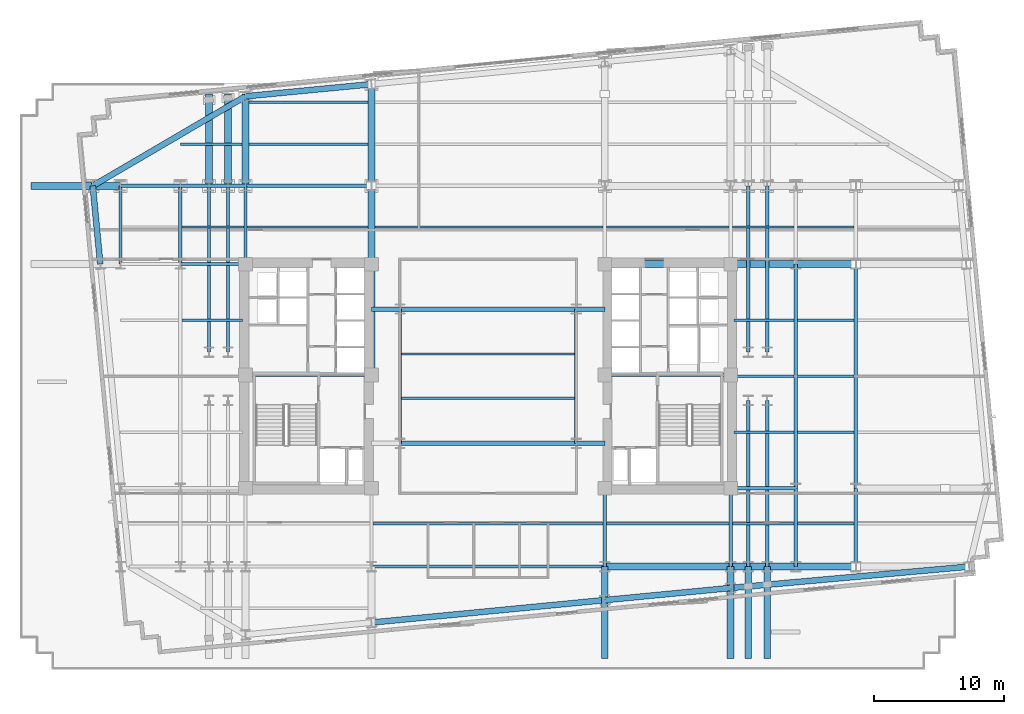
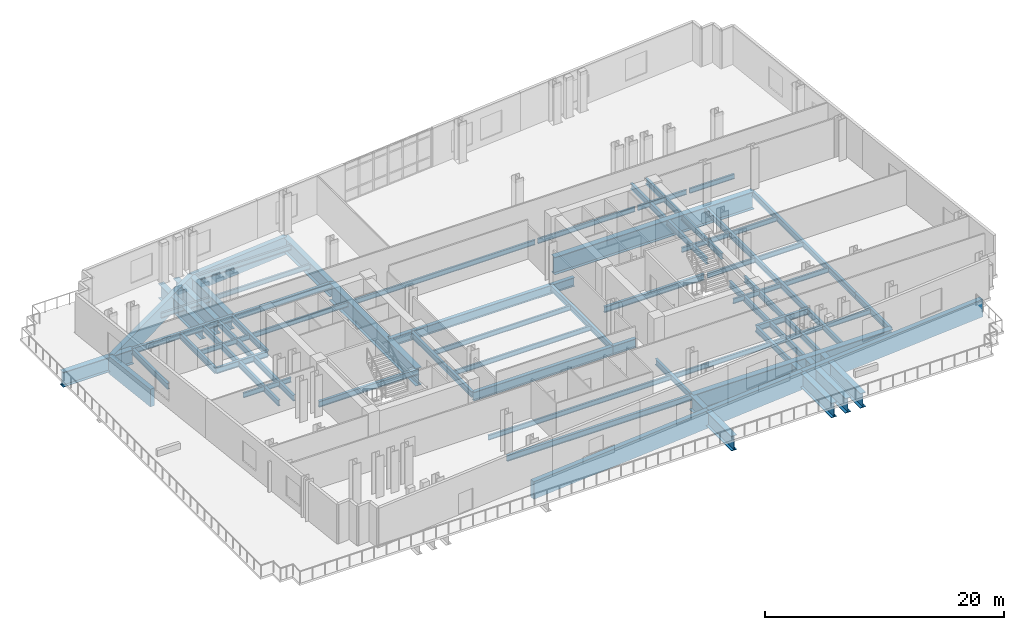
# One storey, part 2 of 14: 70 beams.
"""IFC4 building model written with IfcOpenShell, lengths in metres."""

from ifc_helpers import new_model, si_unit, direction, frame, origin, origin_2d, place, context, subcontext, project, spatial, rectangle, i_section, extrude, material, material_profile, profile_set, type_object, element, save


model = new_model("IFC4")

# Units and contexts
model_context = context("Model", 3, precision=1e-05, world=origin(), true_north=direction((0.0, 1.0)))
body_context = subcontext(model_context, "Body", "Model", "MODEL_VIEW")
ifc_project = project(units=[si_unit("LENGTHUNIT", "METRE"), si_unit("AREAUNIT", "SQUARE_METRE"), si_unit("VOLUMEUNIT", "CUBIC_METRE"), si_unit("PLANEANGLEUNIT", "RADIAN"), si_unit("MASSUNIT", "GRAM", prefix="KILO")], contexts=[model_context])

# Site, building, storey
site_placement = place(None, origin())
site = spatial("IfcSite", under=ifc_project, at=site_placement, CompositionType="ELEMENT")
building_placement = place(site_placement, origin())
building = spatial("IfcBuilding", under=site, at=building_placement, Name="Velakula Bourse", CompositionType="ELEMENT")
storey_placement = place(building_placement, frame((0.0, 0.0, 70.0)))
storey = spatial("IfcBuildingStorey", under=building, at=storey_placement, Name="L18", CompositionType="ELEMENT", Elevation=70.0)

# Beams
ifc_material_1 = material(Name="Steel IS 2062 Grade 350 (E350)", Category="steel")
ifc_material_profile_1 = material_profile(ifc_material_1, i_section(OverallWidth=0.25, OverallDepth=0.60009765625, WebThickness=0.01171875, FlangeThickness=0.023681640625, at=origin_2d()), Name="Steel IS 2062 Grade 350 (E350)")
ifc_profile_set_1 = profile_set([ifc_material_profile_1], Name="Steel IS 2062 Grade 350 (E350)")
beam_type_1 = type_object("IfcBeamType", Name="BM-GRD-600H", PredefinedType="BEAM", material=ifc_profile_set_1)
for number, where, z_axis, x_axis, name in (
    (1, (-18.60009765625, 0.10009765625, -0.580078125), (1.0, 0.0, 0.0), (0.0, 1.0, 0.0), "L18 Primary Backbone Girder CRW-M"),
    (2, (8.949951171875, 0.10009765625, -0.580078125), (1.0, 0.0, 0.0), (0.0, 1.0, 0.0), "L18 Primary Backbone Girder CRE-M"),
):
    element("IfcBeam", number, at=place(storey_placement, frame(where, z_axis=z_axis, x_axis=x_axis)), inside=storey, type_object=beam_type_1, Name=name, PredefinedType="BEAM", context=body_context, shape_type="SweptSolid", body=[
        extrude(i_section(OverallWidth=0.25, OverallDepth=0.60009765625, WebThickness=0.01171875, FlangeThickness=0.023681640625, at=origin_2d()), origin(), (0.0, 0.0, 1.0), 9.650146484375),
    ])
for number, where, z_axis, x_axis, name in (
    (3, (-6.75, -5.14990234375, -0.580078125), (0.0, 1.0, 0.0), (-1.0, 0.0, 0.0), "L18 Primary Backbone Girder SPN-W"),
    (4, (6.75, -5.14990234375, -0.580078125), (0.0, 1.0, 0.0), (-1.0, 0.0, 0.0), "L18 Primary Backbone Girder SPN-E"),
):
    element("IfcBeam", number, at=place(storey_placement, frame(where, z_axis=z_axis, x_axis=x_axis)), inside=storey, type_object=beam_type_1, Name=name, PredefinedType="BEAM", context=body_context, shape_type="SweptSolid", body=[
        extrude(i_section(OverallWidth=0.25, OverallDepth=0.60009765625, WebThickness=0.01171875, FlangeThickness=0.023681640625, at=origin_2d()), origin(), (0.0, 0.0, 1.0), 10.2998046875),
    ])
for number, where, z_axis, x_axis, name in (
    (5, (-18.60009765625, 8.60009765625, -0.580078125), (0.0, 1.0, 0.0), (-1.0, 0.0, 0.0), "L18 Fulcrum Grid Girder FLC-WN"),
    (6, (8.949951171875, -14.60009765625, -0.580078125), (0.0, 1.0, 0.0), (-1.0, 0.0, 0.0), "L18 Fulcrum Grid Girder FLC-ECS"),
    (7, (18.60009765625, -14.60009765625, -0.580078125), (0.0, 1.0, 0.0), (-1.0, 0.0, 0.0), "L18 Fulcrum Grid Girder FLC-ES"),
):
    element("IfcBeam", number, at=place(storey_placement, frame(where, z_axis=z_axis, x_axis=x_axis)), inside=storey, type_object=beam_type_1, Name=name, PredefinedType="BEAM", context=body_context, shape_type="SweptSolid", body=[
        extrude(i_section(OverallWidth=0.25, OverallDepth=0.60009765625, WebThickness=0.01171875, FlangeThickness=0.023681640625, at=origin_2d()), origin(), (0.0, 0.0, 1.0), 6.0),
    ])
beam_1_placement = place(storey_placement, frame((-8.949951171875, -14.60009765625, -0.580078125), z_axis=(1.0, 0.0, 0.0), x_axis=(0.0, 1.0, 0.0)))
element("IfcBeam", 8, at=beam_1_placement, inside=storey, type_object=beam_type_1, Name="L18 Fulcrum Grid Girder FLC-S2", PredefinedType="BEAM", context=body_context, shape_type="SweptSolid", body=[
    extrude(i_section(OverallWidth=0.25, OverallDepth=0.60009765625, WebThickness=0.01171875, FlangeThickness=0.023681640625, at=origin_2d()), origin(), (0.0, 0.0, 1.0), 17.89990234375),
])
beam_2_placement = place(storey_placement, frame((-18.60009765625, 14.60009765625, -0.580078125), z_axis=(1.0, 0.0, 0.0), x_axis=(0.0, 1.0, 0.0)))
element("IfcBeam", 9, at=beam_2_placement, inside=storey, type_object=beam_type_1, Name="L18 Fulcrum Grid Girder FLC-N1", PredefinedType="BEAM", context=body_context, shape_type="SweptSolid", body=[
    extrude(i_section(OverallWidth=0.25, OverallDepth=0.60009765625, WebThickness=0.01171875, FlangeThickness=0.023681640625, at=origin_2d()), origin(), (0.0, 0.0, 1.0), 9.650146484375),
])
for number, where, z_axis, x_axis, name in (
    (10, (-21.39990234375, 1.85009765625, -0.580078125), (0.0, 1.0, 0.0), (-1.0, 0.0, 0.0), "L18 Fulcrum Grid Girder FLC-PNW1"),
    (11, (-19.949951171875, 1.85009765625, -0.580078125), (0.0, 1.0, 0.0), (-1.0, 0.0, 0.0), "L18 Fulcrum Grid Girder FLC-PNW2"),
    (12, (19.949951171875, -14.60009765625, -0.580078125), (0.0, 1.0, 0.0), (-1.0, 0.0, 0.0), "L18 Fulcrum Grid Girder FLC-PSE1"),
    (13, (19.949951171875, 1.85009765625, -0.580078125), (0.0, 1.0, 0.0), (-1.0, 0.0, 0.0), "L18 Fulcrum Grid Girder FLC-PNE1"),
    (14, (21.39990234375, -14.60009765625, -0.580078125), (0.0, 1.0, 0.0), (-1.0, 0.0, 0.0), "L18 Fulcrum Grid Girder FLC-PSE2"),
    (15, (21.39990234375, 1.85009765625, -0.580078125), (0.0, 1.0, 0.0), (-1.0, 0.0, 0.0), "L18 Fulcrum Grid Girder FLC-PNE2"),
):
    element("IfcBeam", number, at=place(storey_placement, frame(where, z_axis=z_axis, x_axis=x_axis)), inside=storey, type_object=beam_type_1, Name=name, PredefinedType="BEAM", context=body_context, shape_type="SweptSolid", body=[
        extrude(i_section(OverallWidth=0.25, OverallDepth=0.60009765625, WebThickness=0.01171875, FlangeThickness=0.023681640625, at=origin_2d()), origin(), (0.0, 0.0, 1.0), 12.75),
    ])
for number, where, z_axis, x_axis, name in (
    (16, (-23.60009765625, 8.60009765625, -0.580078125), (1.0, 0.0, 0.0), (0.0, 1.0, 0.0), "L18 Fulcrum Grid Girder MWG-WN1"),
    (17, (-23.60009765625, 14.60009765625, -0.580078125), (1.0, 0.0, 0.0), (0.0, 1.0, 0.0), "L18 Fulcrum Grid Girder MWG-WN2"),
):
    element("IfcBeam", number, at=place(storey_placement, frame(where, z_axis=z_axis, x_axis=x_axis)), inside=storey, type_object=beam_type_1, Name=name, PredefinedType="BEAM", context=body_context, shape_type="SweptSolid", body=[
        extrude(i_section(OverallWidth=0.25, OverallDepth=0.60009765625, WebThickness=0.01171875, FlangeThickness=0.023681640625, at=origin_2d()), origin(), (0.0, 0.0, 1.0), 5.0),
    ])
beam_3_placement = place(storey_placement, frame((-23.60009765625, 8.60009765625, -0.580078125), z_axis=(0.0, 1.0, 0.0), x_axis=(-1.0, 0.0, 0.0)))
element("IfcBeam", 18, at=beam_3_placement, inside=storey, type_object=beam_type_1, Name="L18 Fulcrum Grid Girder MWG-WNS3", PredefinedType="BEAM", context=body_context, shape_type="SweptSolid", body=[
    extrude(i_section(OverallWidth=0.25, OverallDepth=0.60009765625, WebThickness=0.01171875, FlangeThickness=0.023681640625, at=origin_2d()), origin(), (0.0, 0.0, 1.0), 6.0),
])
beam_4_placement = place(storey_placement, frame((18.60009765625, -8.60009765625, -0.580078125), z_axis=(1.0, 0.0, 0.0), x_axis=(0.0, 1.0, 0.0)))
element("IfcBeam", 19, at=beam_4_placement, inside=storey, type_object=beam_type_1, Name="L18 Fulcrum Grid Girder MWG-ES2", PredefinedType="BEAM", context=body_context, shape_type="SweptSolid", body=[
    extrude(i_section(OverallWidth=0.25, OverallDepth=0.60009765625, WebThickness=0.01171875, FlangeThickness=0.023681640625, at=origin_2d()), origin(), (0.0, 0.0, 1.0), 5.0),
])
beam_5_placement = place(storey_placement, frame((23.60009765625, -14.60009765625, -0.580078125), z_axis=(0.0, 1.0, 0.0), x_axis=(-1.0, 0.0, 0.0)))
element("IfcBeam", 20, at=beam_5_placement, inside=storey, type_object=beam_type_1, Name="L18 Fulcrum Grid Girder MWG-ENS1", PredefinedType="BEAM", context=body_context, shape_type="SweptSolid", body=[
    extrude(i_section(OverallWidth=0.25, OverallDepth=0.60009765625, WebThickness=0.01171875, FlangeThickness=0.023681640625, at=origin_2d()), origin(), (0.0, 0.0, 1.0), 6.0),
])
beam_6_placement = place(storey_placement, frame((23.60009765625, -8.60009765625, -0.580078125), z_axis=(0.0, 1.0, 0.0), x_axis=(-1.0, 0.0, 0.0)))
element("IfcBeam", 21, at=beam_6_placement, inside=storey, type_object=beam_type_1, Name="L18 Fulcrum Grid Girder MWG-ENS2", PredefinedType="BEAM", context=body_context, shape_type="SweptSolid", body=[
    extrude(i_section(OverallWidth=0.25, OverallDepth=0.60009765625, WebThickness=0.01171875, FlangeThickness=0.023681640625, at=origin_2d()), origin(), (0.0, 0.0, 1.0), 17.2001953125),
])
beam_7_placement = place(storey_placement, frame((-28.199951171875, 14.60009765625, -0.580078125), z_axis=(1.0, 0.0, 0.0), x_axis=(0.0, 1.0, 0.0)))
element("IfcBeam", 22, at=beam_7_placement, inside=storey, type_object=beam_type_1, Name="L18 Fulcrum Grid Girder WNG-WN2", PredefinedType="BEAM", context=body_context, shape_type="SweptSolid", body=[
    extrude(i_section(OverallWidth=0.25, OverallDepth=0.60009765625, WebThickness=0.01171875, FlangeThickness=0.023681640625, at=origin_2d()), origin(), (0.0, 0.0, 1.0), 4.599853515625),
])
for number, where, z_axis, x_axis, name in (
    (23, (-28.199951171875, 8.60009765625, -0.580078125), (0.0, 1.0, 0.0), (-1.0, 0.0, 0.0), "L18 Fulcrum Grid Girder WNG-WNS3"),
    (24, (28.199951171875, -14.60009765625, -0.580078125), (0.0, 1.0, 0.0), (-1.0, 0.0, 0.0), "L18 Fulcrum Grid Girder WNG-ENS1"),
):
    element("IfcBeam", number, at=place(storey_placement, frame(where, z_axis=z_axis, x_axis=x_axis)), inside=storey, type_object=beam_type_1, Name=name, PredefinedType="BEAM", context=body_context, shape_type="SweptSolid", body=[
        extrude(i_section(OverallWidth=0.25, OverallDepth=0.60009765625, WebThickness=0.01171875, FlangeThickness=0.023681640625, at=origin_2d()), origin(), (0.0, 0.0, 1.0), 6.0),
    ])
beam_8_placement = place(storey_placement, frame((28.199951171875, -8.60009765625, -0.580078125), z_axis=(0.0, 1.0, 0.0), x_axis=(-1.0, 0.0, 0.0)))
element("IfcBeam", 25, at=beam_8_placement, inside=storey, type_object=beam_type_1, Name="L18 Fulcrum Grid Girder WNG-ENS2", PredefinedType="BEAM", context=body_context, shape_type="SweptSolid", body=[
    extrude(i_section(OverallWidth=0.25, OverallDepth=0.60009765625, WebThickness=0.01171875, FlangeThickness=0.023681640625, at=origin_2d()), origin(), (0.0, 0.0, 1.0), 17.2001953125),
])
ifc_material_profile_2 = material_profile(ifc_material_1, i_section(OverallWidth=0.35009765625, OverallDepth=0.89990234375, WebThickness=0.02001953125, FlangeThickness=0.031982421875, at=origin_2d()), Name="Steel IS 2062 Grade 350 (E350)")
ifc_profile_set_2 = profile_set([ifc_material_profile_2], Name="Steel IS 2062 Grade 350 (E350)")
beam_type_2 = type_object("IfcBeamType", Name="BM-LNK-900", PredefinedType="BEAM", material=ifc_profile_set_2)
beam_9_placement = place(storey_placement, frame((-6.75, -5.14990234375, -0.72998046875), z_axis=(1.0, 0.0, 0.0), x_axis=(0.0, 1.0, 0.0)))
element("IfcBeam", 26, at=beam_9_placement, inside=storey, type_object=beam_type_2, Name="L18 Primary Backbone Girder LNK-S2", PredefinedType="BEAM", context=body_context, shape_type="SweptSolid", body=[
    extrude(i_section(OverallWidth=0.35009765625, OverallDepth=0.89990234375, WebThickness=0.02001953125, FlangeThickness=0.031982421875, at=origin_2d()), origin(), (0.0, 0.0, 1.0), 13.5),
])
for number, where, z_axis, x_axis, name in (
    (27, (6.75, -5.14990234375, -0.72998046875), (1.0, 0.0, 0.0), (0.0, 1.0, 0.0), "L18 Primary Backbone Girder LNK-S3"),
    (28, (-8.949951171875, 5.14990234375, -0.72998046875), (1.0, 0.0, 0.0), (0.0, 1.0, 0.0), "L18 Primary Backbone Girder LNK-N1"),
):
    element("IfcBeam", number, at=place(storey_placement, frame(where, z_axis=z_axis, x_axis=x_axis)), inside=storey, type_object=beam_type_2, Name=name, PredefinedType="BEAM", context=body_context, shape_type="SweptSolid", body=[
        extrude(i_section(OverallWidth=0.35009765625, OverallDepth=0.89990234375, WebThickness=0.02001953125, FlangeThickness=0.031982421875, at=origin_2d()), origin(), (0.0, 0.0, 1.0), 2.199951171875),
    ])
beam_10_placement = place(storey_placement, frame((-6.75, 5.14990234375, -0.72998046875), z_axis=(1.0, 0.0, 0.0), x_axis=(0.0, 1.0, 0.0)))
element("IfcBeam", 29, at=beam_10_placement, inside=storey, type_object=beam_type_2, Name="L18 Primary Backbone Girder LNK-N2", PredefinedType="BEAM", context=body_context, shape_type="SweptSolid", body=[
    extrude(i_section(OverallWidth=0.35009765625, OverallDepth=0.89990234375, WebThickness=0.02001953125, FlangeThickness=0.031982421875, at=origin_2d()), origin(), (0.0, 0.0, 1.0), 13.5),
])
beam_11_placement = place(storey_placement, frame((6.75, 5.14990234375, -0.72998046875), z_axis=(1.0, 0.0, 0.0), x_axis=(0.0, 1.0, 0.0)))
element("IfcBeam", 30, at=beam_11_placement, inside=storey, type_object=beam_type_2, Name="L18 Primary Backbone Girder LNK-N3", PredefinedType="BEAM", context=body_context, shape_type="SweptSolid", body=[
    extrude(i_section(OverallWidth=0.35009765625, OverallDepth=0.89990234375, WebThickness=0.02001953125, FlangeThickness=0.031982421875, at=origin_2d()), origin(), (0.0, 0.0, 1.0), 2.199951171875),
])
ifc_material_profile_3 = material_profile(ifc_material_1, i_section(OverallWidth=0.179931640625, OverallDepth=0.5, WebThickness=0.01025390625, FlangeThickness=0.01708984375, at=origin_2d()), Name="Steel IS 2062 Grade 350 (E350)")
ifc_profile_set_3 = profile_set([ifc_material_profile_3], Name="Steel IS 2062 Grade 350 (E350)")
beam_type_3 = type_object("IfcBeamType", Name="JST-TWR-500", PredefinedType="JOIST", material=ifc_profile_set_3)
beam_12_placement = place(storey_placement, frame((-8.824951171875, -11.300048828125, -0.530029296875), z_axis=(1.0, 0.0, 0.0), x_axis=(0.0, 1.0, 0.0)))
element("IfcBeam", 31, at=beam_12_placement, inside=storey, type_object=beam_type_3, Name="L18 Trading Floor Composite Joist 07", PredefinedType="JOIST", context=body_context, shape_type="SweptSolid", body=[
    extrude(i_section(OverallWidth=0.179931640625, OverallDepth=0.5, WebThickness=0.01025390625, FlangeThickness=0.01708984375, at=origin_2d()), origin(), (0.0, 0.0, 1.0), 17.64990234375),
])
beam_13_placement = place(storey_placement, frame((9.074951171875, -11.300048828125, -0.530029296875), z_axis=(1.0, 0.0, 0.0), x_axis=(0.0, 1.0, 0.0)))
element("IfcBeam", 32, at=beam_13_placement, inside=storey, type_object=beam_type_3, Name="L18 Trading Floor Composite Joist 08", PredefinedType="JOIST", context=body_context, shape_type="SweptSolid", body=[
    extrude(i_section(OverallWidth=0.179931640625, OverallDepth=0.5, WebThickness=0.01025390625, FlangeThickness=0.01708984375, at=origin_2d()), origin(), (0.0, 0.0, 1.0), 9.400146484375),
])
beam_14_placement = place(storey_placement, frame((18.72509765625, -11.300048828125, -0.530029296875), z_axis=(1.0, 0.0, 0.0), x_axis=(0.0, 1.0, 0.0)))
element("IfcBeam", 33, at=beam_14_placement, inside=storey, type_object=beam_type_3, Name="L18 Trading Floor Composite Joist 09", PredefinedType="JOIST", context=body_context, shape_type="SweptSolid", body=[
    extrude(i_section(OverallWidth=0.179931640625, OverallDepth=0.5, WebThickness=0.01025390625, FlangeThickness=0.01708984375, at=origin_2d()), origin(), (0.0, 0.0, 1.0), 4.75),
])
beam_15_placement = place(storey_placement, frame((23.72509765625, -11.300048828125, -0.530029296875), z_axis=(1.0, 0.0, 0.0), x_axis=(0.0, 1.0, 0.0)))
element("IfcBeam", 34, at=beam_15_placement, inside=storey, type_object=beam_type_3, Name="L18 Trading Floor Composite Joist 10", PredefinedType="JOIST", context=body_context, shape_type="SweptSolid", body=[
    extrude(i_section(OverallWidth=0.179931640625, OverallDepth=0.5, WebThickness=0.01025390625, FlangeThickness=0.01708984375, at=origin_2d()), origin(), (0.0, 0.0, 1.0), 4.349853515625),
])
beam_16_placement = place(storey_placement, frame((-23.47509765625, 11.449951171875, -0.530029296875), z_axis=(1.0, 0.0, 0.0), x_axis=(0.0, 1.0, 0.0)))
element("IfcBeam", 35, at=beam_16_placement, inside=storey, type_object=beam_type_3, Name="L18 Trading Floor Composite Joist 13", PredefinedType="JOIST", context=body_context, shape_type="SweptSolid", body=[
    extrude(i_section(OverallWidth=0.179931640625, OverallDepth=0.5, WebThickness=0.01025390625, FlangeThickness=0.01708984375, at=origin_2d()), origin(), (0.0, 0.0, 1.0), 4.75),
])
beam_17_placement = place(storey_placement, frame((-18.47509765625, 11.449951171875, -0.530029296875), z_axis=(1.0, 0.0, 0.0), x_axis=(0.0, 1.0, 0.0)))
element("IfcBeam", 36, at=beam_17_placement, inside=storey, type_object=beam_type_3, Name="L18 Trading Floor Composite Joist 14", PredefinedType="JOIST", context=body_context, shape_type="SweptSolid", body=[
    extrude(i_section(OverallWidth=0.179931640625, OverallDepth=0.5, WebThickness=0.01025390625, FlangeThickness=0.01708984375, at=origin_2d()), origin(), (0.0, 0.0, 1.0), 9.25),
])
beam_18_placement = place(storey_placement, frame((-8.675048828125, 11.449951171875, -0.530029296875), z_axis=(1.0, 0.0, 0.0), x_axis=(0.0, 1.0, 0.0)))
element("IfcBeam", 37, at=beam_18_placement, inside=storey, type_object=beam_type_3, Name="L18 Trading Floor Composite Joist 15", PredefinedType="JOIST", context=body_context, shape_type="SweptSolid", body=[
    extrude(i_section(OverallWidth=0.179931640625, OverallDepth=0.5, WebThickness=0.01025390625, FlangeThickness=0.01708984375, at=origin_2d()), origin(), (0.0, 0.0, 1.0), 17.5),
])
beam_19_placement = place(storey_placement, frame((9.074951171875, 11.449951171875, -0.530029296875), z_axis=(1.0, 0.0, 0.0), x_axis=(0.0, 1.0, 0.0)))
element("IfcBeam", 38, at=beam_19_placement, inside=storey, type_object=beam_type_3, Name="L18 Trading Floor Composite Joist 16", PredefinedType="JOIST", context=body_context, shape_type="SweptSolid", body=[
    extrude(i_section(OverallWidth=0.179931640625, OverallDepth=0.5, WebThickness=0.01025390625, FlangeThickness=0.01708984375, at=origin_2d()), origin(), (0.0, 0.0, 1.0), 9.400146484375),
])
beam_20_placement = place(storey_placement, frame((18.72509765625, 11.449951171875, -0.530029296875), z_axis=(1.0, 0.0, 0.0), x_axis=(0.0, 1.0, 0.0)))
element("IfcBeam", 39, at=beam_20_placement, inside=storey, type_object=beam_type_3, Name="L18 Trading Floor Composite Joist 17", PredefinedType="JOIST", context=body_context, shape_type="SweptSolid", body=[
    extrude(i_section(OverallWidth=0.179931640625, OverallDepth=0.5, WebThickness=0.01025390625, FlangeThickness=0.01708984375, at=origin_2d()), origin(), (0.0, 0.0, 1.0), 4.75),
])
beam_21_placement = place(storey_placement, frame((23.72509765625, 11.449951171875, -0.530029296875), z_axis=(1.0, 0.0, 0.0), x_axis=(0.0, 1.0, 0.0)))
element("IfcBeam", 40, at=beam_21_placement, inside=storey, type_object=beam_type_3, Name="L18 Trading Floor Composite Joist 18", PredefinedType="JOIST", context=body_context, shape_type="SweptSolid", body=[
    extrude(i_section(OverallWidth=0.179931640625, OverallDepth=0.5, WebThickness=0.01025390625, FlangeThickness=0.01708984375, at=origin_2d()), origin(), (0.0, 0.0, 1.0), 4.349853515625),
])
beam_22_placement = place(storey_placement, frame((-23.60009765625, 17.800048828125, -0.530029296875), z_axis=(1.0, 0.0, 0.0), x_axis=(0.0, 1.0, 0.0)))
element("IfcBeam", 41, at=beam_22_placement, inside=storey, type_object=beam_type_3, Name="L18 Trading Floor Composite Joist 20", PredefinedType="JOIST", context=body_context, shape_type="SweptSolid", body=[
    extrude(i_section(OverallWidth=0.179931640625, OverallDepth=0.5, WebThickness=0.01025390625, FlangeThickness=0.01708984375, at=origin_2d()), origin(), (0.0, 0.0, 1.0), 4.739990234375),
])
for number, where, z_axis, x_axis, name in (
    (42, (-18.340087890625, 17.800048828125, -0.530029296875), (1.0, 0.0, 0.0), (0.0, 1.0, 0.0), "L18 Trading Floor Composite Joist 21"),
    (43, (-18.340087890625, 21.0, -0.530029296875), (1.0, 0.0, 0.0), (0.0, 1.0, 0.0), "L18 Trading Floor Composite Joist 27"),
):
    element("IfcBeam", number, at=place(storey_placement, frame(where, z_axis=z_axis, x_axis=x_axis)), inside=storey, type_object=beam_type_3, Name=name, PredefinedType="JOIST", context=body_context, shape_type="SweptSolid", body=[
        extrude(i_section(OverallWidth=0.179931640625, OverallDepth=0.5, WebThickness=0.01025390625, FlangeThickness=0.01708984375, at=origin_2d()), origin(), (0.0, 0.0, 1.0), 9.130126953125),
    ])
for number, where, z_axis, x_axis, name in (
    (44, (-6.625, -1.699951171875, -0.530029296875), (1.0, 0.0, 0.0), (0.0, 1.0, 0.0), "L18 Trading Floor Composite Joist 31"),
    (45, (-6.625, 1.699951171875, -0.530029296875), (1.0, 0.0, 0.0), (0.0, 1.0, 0.0), "L18 Trading Floor Composite Joist 32"),
):
    element("IfcBeam", number, at=place(storey_placement, frame(where, z_axis=z_axis, x_axis=x_axis)), inside=storey, type_object=beam_type_3, Name=name, PredefinedType="JOIST", context=body_context, shape_type="SweptSolid", body=[
        extrude(i_section(OverallWidth=0.179931640625, OverallDepth=0.5, WebThickness=0.01025390625, FlangeThickness=0.01708984375, at=origin_2d()), origin(), (0.0, 0.0, 1.0), 13.25),
    ])
beam_23_placement = place(storey_placement, frame((18.85009765625, -4.300048828125, -0.530029296875), z_axis=(1.0, 0.0, 0.0), x_axis=(0.0, 1.0, 0.0)))
element("IfcBeam", 46, at=beam_23_placement, inside=storey, type_object=beam_type_3, Name="L18 Trading Floor Composite Joist 35", PredefinedType="JOIST", context=body_context, shape_type="SweptSolid", body=[
    extrude(i_section(OverallWidth=0.179931640625, OverallDepth=0.5, WebThickness=0.01025390625, FlangeThickness=0.01708984375, at=origin_2d()), origin(), (0.0, 0.0, 1.0), 4.625),
])
beam_24_placement = place(storey_placement, frame((23.72509765625, -4.300048828125, -0.530029296875), z_axis=(1.0, 0.0, 0.0), x_axis=(0.0, 1.0, 0.0)))
element("IfcBeam", 47, at=beam_24_placement, inside=storey, type_object=beam_type_3, Name="L18 Trading Floor Composite Joist 36", PredefinedType="JOIST", context=body_context, shape_type="SweptSolid", body=[
    extrude(i_section(OverallWidth=0.179931640625, OverallDepth=0.5, WebThickness=0.01025390625, FlangeThickness=0.01708984375, at=origin_2d()), origin(), (0.0, 0.0, 1.0), 4.349853515625),
])
beam_25_placement = place(storey_placement, frame((18.85009765625, 0.0, -0.530029296875), z_axis=(1.0, 0.0, 0.0), x_axis=(0.0, 1.0, 0.0)))
element("IfcBeam", 48, at=beam_25_placement, inside=storey, type_object=beam_type_3, Name="L18 Trading Floor Composite Joist 40", PredefinedType="JOIST", context=body_context, shape_type="SweptSolid", body=[
    extrude(i_section(OverallWidth=0.179931640625, OverallDepth=0.5, WebThickness=0.01025390625, FlangeThickness=0.01708984375, at=origin_2d()), origin(), (0.0, 0.0, 1.0), 4.625),
])
beam_26_placement = place(storey_placement, frame((23.72509765625, 0.0, -0.530029296875), z_axis=(1.0, 0.0, 0.0), x_axis=(0.0, 1.0, 0.0)))
element("IfcBeam", 49, at=beam_26_placement, inside=storey, type_object=beam_type_3, Name="L18 Trading Floor Composite Joist 41", PredefinedType="JOIST", context=body_context, shape_type="SweptSolid", body=[
    extrude(i_section(OverallWidth=0.179931640625, OverallDepth=0.5, WebThickness=0.01025390625, FlangeThickness=0.01708984375, at=origin_2d()), origin(), (0.0, 0.0, 1.0), 4.349853515625),
])
for number, where, z_axis, x_axis, name in (
    (50, (-23.47509765625, 4.300048828125, -0.530029296875), (1.0, 0.0, 0.0), (0.0, 1.0, 0.0), "L18 Trading Floor Composite Joist 44"),
    (51, (18.85009765625, 4.300048828125, -0.530029296875), (1.0, 0.0, 0.0), (0.0, 1.0, 0.0), "L18 Trading Floor Composite Joist 45"),
):
    element("IfcBeam", number, at=place(storey_placement, frame(where, z_axis=z_axis, x_axis=x_axis)), inside=storey, type_object=beam_type_3, Name=name, PredefinedType="JOIST", context=body_context, shape_type="SweptSolid", body=[
        extrude(i_section(OverallWidth=0.179931640625, OverallDepth=0.5, WebThickness=0.01025390625, FlangeThickness=0.01708984375, at=origin_2d()), origin(), (0.0, 0.0, 1.0), 4.625),
    ])
beam_27_placement = place(storey_placement, frame((23.72509765625, 4.300048828125, -0.530029296875), z_axis=(1.0, 0.0, 0.0), x_axis=(0.0, 1.0, 0.0)))
element("IfcBeam", 52, at=beam_27_placement, inside=storey, type_object=beam_type_3, Name="L18 Trading Floor Composite Joist 46", PredefinedType="JOIST", context=body_context, shape_type="SweptSolid", body=[
    extrude(i_section(OverallWidth=0.179931640625, OverallDepth=0.5, WebThickness=0.01025390625, FlangeThickness=0.01708984375, at=origin_2d()), origin(), (0.0, 0.0, 1.0), 4.349853515625),
])
ifc_material_2 = material(Name="Concrete M50 (fck 50 MPa)", Category="concrete")
ifc_material_profile_4 = material_profile(ifc_material_2, rectangle(XDim=0.449951171875, YDim=1.800048828125, at=origin_2d()), Name="Concrete M50 (fck 50 MPa)")
ifc_profile_set_4 = profile_set([ifc_material_profile_4], Name="Concrete M50 (fck 50 MPa)")
beam_type_4 = type_object("IfcBeamType", Name="SPN-TRF-1800", PredefinedType="SPANDREL", material=ifc_profile_set_4)
beam_28_placement = place(storey_placement, frame((-8.949951171875, -18.89208984375, -1.179931640625), z_axis=(0.995395836254, 0.095849513134, 0.0), x_axis=(-0.095849513134, 0.995395836254, 0.0)))
element("IfcBeam", 53, at=beam_28_placement, inside=storey, type_object=beam_type_4, Name="L18 Brick-Faced Precast Spandrel S2-S3", PredefinedType="SPANDREL", context=body_context, shape_type="SweptSolid", body=[
    extrude(rectangle(XDim=0.449951171875, YDim=1.800048828125, at=origin_2d()), origin(), (0.0, 0.0, 1.0), 17.982666015625),
])
for number, where, z_axis, x_axis, name in (
    (54, (8.949951171875, -17.16845703125, -1.179931640625), (0.99539623971, 0.095845323155, 0.0), (-0.095845323155, 0.99539623971, 0.0), "L18 Brick-Faced Precast Spandrel S3-S4"),
    (55, (-18.60009765625, 21.468994140625, -1.179931640625), (0.99539623971, 0.095845323155, 0.0), (-0.095845323155, 0.99539623971, 0.0), "L18 Brick-Faced Precast Spandrel N1-N2"),
):
    element("IfcBeam", number, at=place(storey_placement, frame(where, z_axis=z_axis, x_axis=x_axis)), inside=storey, type_object=beam_type_4, Name=name, PredefinedType="SPANDREL", context=body_context, shape_type="SweptSolid", body=[
        extrude(rectangle(XDim=0.449951171875, YDim=1.800048828125, at=origin_2d()), origin(), (0.0, 0.0, 1.0), 9.69482421875),
    ])
beam_29_placement = place(storey_placement, frame((-29.7421875, 8.60009765625, -1.179931640625), z_axis=(-0.095829714309, 0.995397742541, 0.0), x_axis=(-0.995397742541, -0.095829714309, 0.0)))
element("IfcBeam", 56, at=beam_29_placement, inside=storey, type_object=beam_type_4, Name="L18 Brick-Faced Precast Spandrel W3-W4", PredefinedType="SPANDREL", context=body_context, shape_type="SweptSolid", body=[
    extrude(rectangle(XDim=0.449951171875, YDim=1.800048828125, at=origin_2d()), origin(), (0.0, 0.0, 1.0), 6.02783203125),
])
beam_30_placement = place(storey_placement, frame((18.60009765625, -16.2392578125, -1.179931640625), z_axis=(0.99600727708, 0.089272078527, 0.0), x_axis=(-0.089272078527, 0.99600727708, 0.0)))
element("IfcBeam", 57, at=beam_30_placement, inside=storey, type_object=beam_type_4, Name="L18 Brick-Faced Precast Spandrel S4-E1", PredefinedType="SPANDREL", context=body_context, shape_type="SweptSolid", body=[
    extrude(rectangle(XDim=0.449951171875, YDim=1.800048828125, at=origin_2d()), origin(), (0.0, 0.0, 1.0), 18.361328125),
])
beam_31_placement = place(storey_placement, frame((-18.60009765625, 21.468994140625, -1.179931640625), z_axis=(-0.862739335169, -0.505648929151, 0.0), x_axis=(0.505648929151, -0.862739335169, 0.0)))
element("IfcBeam", 58, at=beam_31_placement, inside=storey, type_object=beam_type_4, Name="L18 Brick-Faced Precast Spandrel N1-W4", PredefinedType="SPANDREL", context=body_context, shape_type="SweptSolid", body=[
    extrude(rectangle(XDim=0.449951171875, YDim=1.800048828125, at=origin_2d()), origin(), (0.0, 0.0, 1.0), 13.584228515625),
])
ifc_material_3 = material(Name="Steel IS 2062 Grade 450 (E450)", Category="steel")
ifc_material_profile_5 = material_profile(ifc_material_3, i_section(OverallWidth=0.52001953125, OverallDepth=1.5, WebThickness=0.030029296875, FlangeThickness=0.048095703125, at=origin_2d()), Name="Steel IS 2062 Grade 450 (E450)")
ifc_profile_set_5 = profile_set([ifc_material_profile_5], Name="Steel IS 2062 Grade 450 (E450)")
beam_type_5 = type_object("IfcBeamType", Name="TB-CANT-1500", PredefinedType="BEAM", material=ifc_profile_set_5)
for number, where, z_axis, x_axis, name in (
    (59, (8.949951171875, -21.64990234375, -1.030029296875), (0.0, 1.0, 0.0), (-1.0, 0.0, 0.0), "L18 Block B2 Transfer Girder S3"),
    (60, (18.60009765625, -21.64990234375, -1.030029296875), (0.0, 1.0, 0.0), (-1.0, 0.0, 0.0), "L18 Block B2 Transfer Girder S4"),
    (61, (-18.60009765625, 14.60009765625, -1.030029296875), (0.0, 1.0, 0.0), (-1.0, 0.0, 0.0), "L18 Block B2 Transfer Girder N1"),
):
    element("IfcBeam", number, at=place(storey_placement, frame(where, z_axis=z_axis, x_axis=x_axis)), inside=storey, type_object=beam_type_5, Name=name, PredefinedType="BEAM", context=body_context, shape_type="SweptSolid", body=[
        extrude(i_section(OverallWidth=0.52001953125, OverallDepth=1.5, WebThickness=0.030029296875, FlangeThickness=0.048095703125, at=origin_2d()), origin(), (0.0, 0.0, 1.0), 7.0498046875),
    ])
beam_32_placement = place(storey_placement, frame((-8.949951171875, 14.60009765625, -1.030029296875), z_axis=(0.0, 1.0, 0.0), x_axis=(-1.0, 0.0, 0.0)))
element("IfcBeam", 62, at=beam_32_placement, inside=storey, type_object=beam_type_5, Name="L18 Primary Cantilever Transfer Chord N2", PredefinedType="BEAM", context=body_context, shape_type="SweptSolid", body=[
    extrude(i_section(OverallWidth=0.52001953125, OverallDepth=1.5, WebThickness=0.030029296875, FlangeThickness=0.048095703125, at=origin_2d()), origin(), (0.0, 0.0, 1.0), 7.798095703125),
])
beam_33_placement = place(storey_placement, frame((-35.050048828125, 14.60009765625, -1.030029296875), z_axis=(1.0, 0.0, 0.0), x_axis=(0.0, 1.0, 0.0)))
element("IfcBeam", 63, at=beam_33_placement, inside=storey, type_object=beam_type_5, Name="L18 Block B2 Transfer Girder W4", PredefinedType="BEAM", context=body_context, shape_type="SweptSolid", body=[
    extrude(i_section(OverallWidth=0.52001953125, OverallDepth=1.5, WebThickness=0.030029296875, FlangeThickness=0.048095703125, at=origin_2d()), origin(), (0.0, 0.0, 1.0), 6.85009765625),
])
for number, where, z_axis, x_axis, name in (
    (64, (19.949951171875, -21.64990234375, -1.030029296875), (0.0, 1.0, 0.0), (-1.0, 0.0, 0.0), "L18 Block B2 Transfer Girder P03"),
    (65, (21.39990234375, -21.64990234375, -1.030029296875), (0.0, 1.0, 0.0), (-1.0, 0.0, 0.0), "L18 Block B2 Transfer Girder P04"),
    (66, (-21.39990234375, 14.60009765625, -1.030029296875), (0.0, 1.0, 0.0), (-1.0, 0.0, 0.0), "L18 Block B2 Transfer Girder P05"),
    (67, (-19.949951171875, 14.60009765625, -1.030029296875), (0.0, 1.0, 0.0), (-1.0, 0.0, 0.0), "L18 Block B2 Transfer Girder P06"),
):
    element("IfcBeam", number, at=place(storey_placement, frame(where, z_axis=z_axis, x_axis=x_axis)), inside=storey, type_object=beam_type_5, Name=name, PredefinedType="BEAM", context=body_context, shape_type="SweptSolid", body=[
        extrude(i_section(OverallWidth=0.52001953125, OverallDepth=1.5, WebThickness=0.030029296875, FlangeThickness=0.048095703125, at=origin_2d()), origin(), (0.0, 0.0, 1.0), 7.0498046875),
    ])
ifc_material_profile_6 = material_profile(ifc_material_3, i_section(OverallWidth=0.550048828125, OverallDepth=1.800048828125, WebThickness=0.031982421875, FlangeThickness=0.048095703125, at=origin_2d()), Name="Steel IS 2062 Grade 450 (E450)")
ifc_profile_set_6 = profile_set([ifc_material_profile_6], Name="Steel IS 2062 Grade 450 (E450)")
beam_type_6 = type_object("IfcBeamType", Name="TB-CANT-1800", PredefinedType="BEAM", material=ifc_profile_set_6)
beam_34_placement = place(storey_placement, frame((-8.949951171875, 0.10009765625, -1.179931640625), z_axis=(0.0, 1.0, 0.0), x_axis=(-1.0, 0.0, 0.0)))
element("IfcBeam", 68, at=beam_34_placement, inside=storey, type_object=beam_type_6, Name="L18 Collinear Transfer Back-Span Girder N2", PredefinedType="BEAM", context=body_context, shape_type="SweptSolid", body=[
    extrude(i_section(OverallWidth=0.550048828125, OverallDepth=1.800048828125, WebThickness=0.031982421875, FlangeThickness=0.048095703125, at=origin_2d()), origin(), (0.0, 0.0, 1.0), 14.5),
])
for number, where, z_axis, x_axis, name in (
    (69, (8.949951171875, -14.60009765625, -1.179931640625), (1.0, 0.0, 0.0), (0.0, 1.0, 0.0), "L18 Collinear Transfer Back-Span Girder E1"),
    (70, (8.949951171875, 8.60009765625, -1.179931640625), (1.0, 0.0, 0.0), (0.0, 1.0, 0.0), "L18 Collinear Transfer Back-Span Girder E3"),
):
    element("IfcBeam", number, at=place(storey_placement, frame(where, z_axis=z_axis, x_axis=x_axis)), inside=storey, type_object=beam_type_6, Name=name, PredefinedType="BEAM", context=body_context, shape_type="SweptSolid", body=[
        extrude(i_section(OverallWidth=0.550048828125, OverallDepth=1.800048828125, WebThickness=0.031982421875, FlangeThickness=0.048095703125, at=origin_2d()), origin(), (0.0, 0.0, 1.0), 19.25),
    ])

save(model, "model.ifc")
